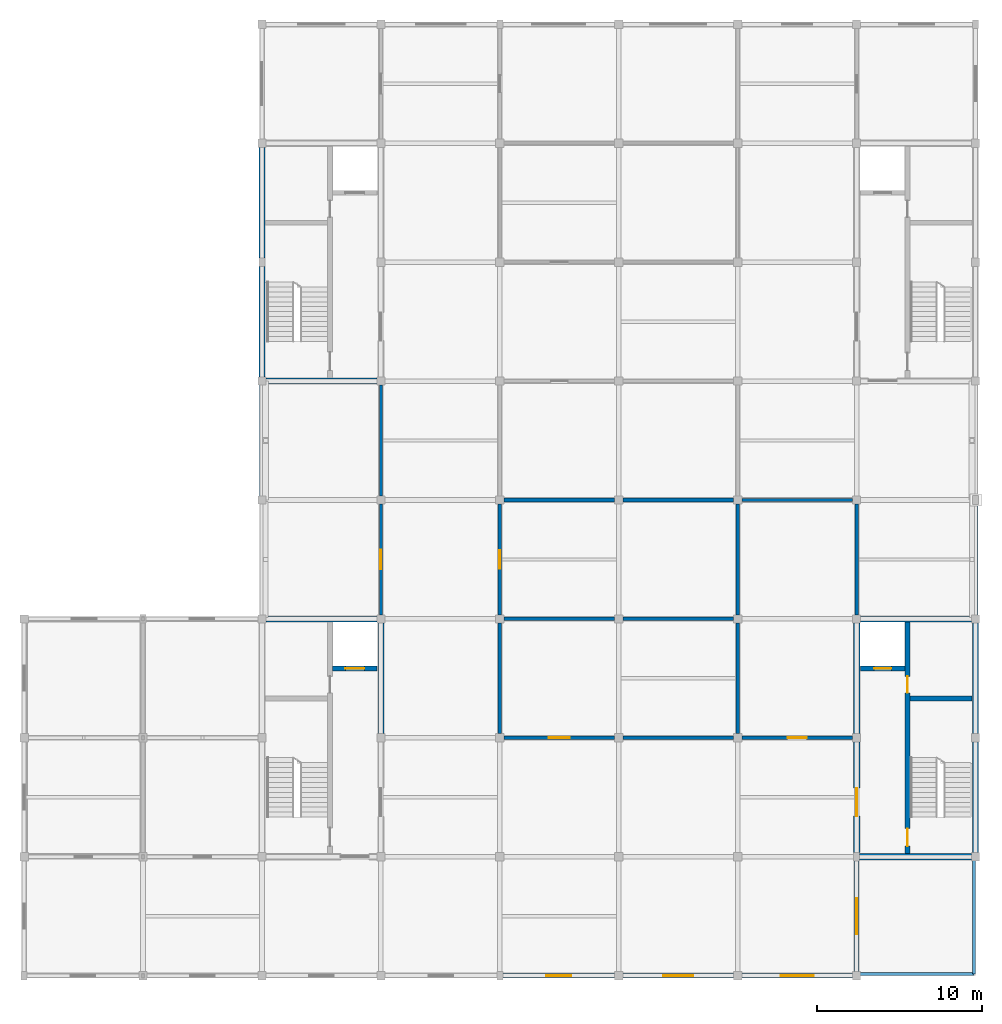
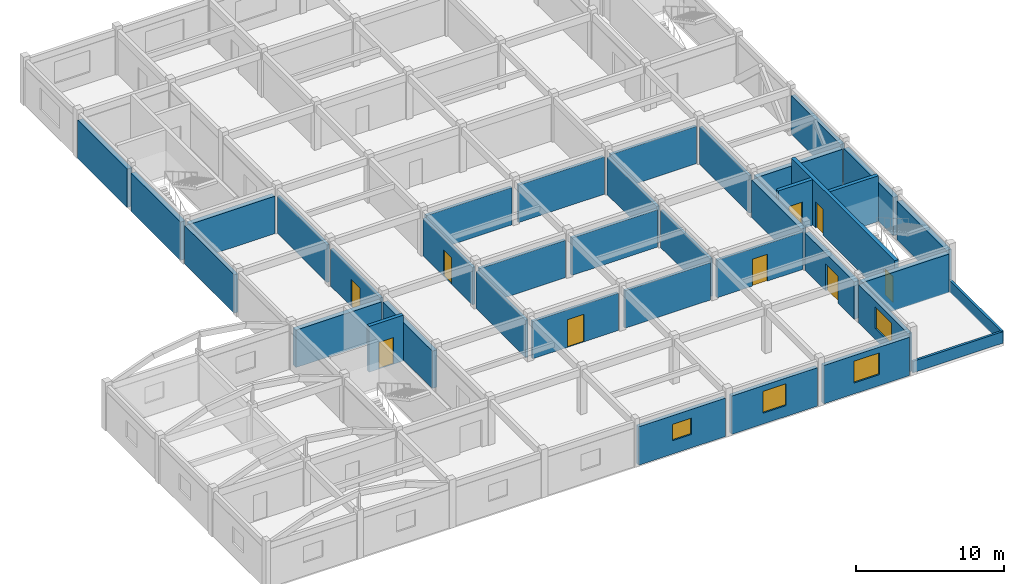
# One storey, part 7 of 10: 38 walls, 9 doors, 4 windows, 13 openings.
"""IFC4 building model written with IfcOpenShell, lengths in metres."""

from ifc_helpers import new_model, si_unit, direction, frame, frame_2d, origin, place, context, subcontext, project, spatial, rectangle, extrude, material, layer, layer_set, type_object, element, fill, save


model = new_model("IFC4")

# Units and contexts
model_context = context("Model", 3, precision=1e-05, world=origin(), true_north=direction((0.0, 1.0)))
body_context = subcontext(model_context, "Body", "Model", "MODEL_VIEW")
ifc_project = project(units=[si_unit("LENGTHUNIT", "METRE"), si_unit("AREAUNIT", "SQUARE_METRE"), si_unit("VOLUMEUNIT", "CUBIC_METRE"), si_unit("PLANEANGLEUNIT", "RADIAN"), si_unit("MASSUNIT", "GRAM", prefix="KILO")], contexts=[model_context])

# Site, building, storey
site_placement = place(None, origin())
site = spatial("IfcSite", under=ifc_project, at=site_placement, CompositionType="ELEMENT")
building_placement = place(site_placement, origin())
building = spatial("IfcBuilding", under=site, at=building_placement, Name="Cendaluz Park School", CompositionType="ELEMENT")
storey_placement = place(building_placement, frame((0.0, 0.0, 51.0)))
storey = spatial("IfcBuildingStorey", under=building, at=storey_placement, Name="L12", CompositionType="ELEMENT", Elevation=51.0)

# Wall, opening, door
ifc_material_1 = material(Name="Gypsum Plasterboard on Cold-Formed Stud", Category="gypsum")
ifc_layer_1 = layer(ifc_material_1, 0.199951171875)
ifc_layer_set_1 = layer_set([ifc_layer_1], Name="Gypsum Plasterboard on Cold-Formed Stud")
wall_type_1 = type_object("IfcWallType", Name="W-AC20", PredefinedType="PARTITIONING", material=ifc_layer_set_1)
wall_1_placement = place(storey_placement, frame((93.85009765625, 21.60009765625, 0.0), z_axis=(0.0, 0.0, 1.0), x_axis=(1.0, 0.0, 0.0)))
wall_1 = element("IfcWall", 1, at=wall_1_placement, inside=storey, type_object=wall_type_1, Name="WL-FM-BL3", PredefinedType="PARTITIONING", context=body_context, shape_type="SweptSolid", body=[
    extrude(rectangle(XDim=6.699951171875, YDim=0.199951171875, at=frame_2d((3.35009765625, 0.0))), origin(), (0.0, 0.0, 1.0), 3.090087890625),
])
opening_1_placement = place(wall_1_placement, frame((2.77001953125, 0.0, 0.0)))
opening_1 = element("IfcOpeningElement", 2, at=opening_1_placement, cuts=wall_1, Name="Opening DCL-07", PredefinedType="OPENING", context=body_context, shape_type="SweptSolid", body=[
    extrude(rectangle(XDim=1.159912109375, YDim=2.219970703125, at=frame_2d((0.580078125, 1.10986328125))), frame((0.0, 0.112060546875, 0.0), z_axis=(0.0, -1.0, 0.0), x_axis=(1.0, 0.0, 0.0)), (0.0, 0.0, 1.0), 0.223876953125),
])
ifc_material_2 = material(Name="Solid Core Hardwood", Category="wood")
door_type_1 = type_object("IfcDoorType", Name="DCL-07", OperationType="NOTDEFINED", PredefinedType="DOOR", material=ifc_material_2)
door_1_placement = place(opening_1_placement, origin())
door_1 = element("IfcDoor", 3, at=door_1_placement, inside=storey, type_object=door_type_1, Name="D-L12-022", OperationType="SINGLE_SWING_LEFT", OverallHeight=2.219970703125, OverallWidth=1.159912109375, PredefinedType="DOOR", context=body_context, shape_type="SweptSolid", body=[
    extrude(rectangle(XDim=1.159912109375, YDim=2.219970703125, at=frame_2d((0.580078125, 1.10986328125))), frame((0.0, 0.02490234375, 0.0), z_axis=(0.0, -1.0, 0.0), x_axis=(1.0, 0.0, 0.0)), (0.0, 0.0, 1.0), 0.050048828125),
])
fill(opening_1, door_1)

# Walls
for number, where, z_axis, x_axis, name in (
    (4, (93.60009765625, 21.85009765625, 0.0), (0.0, 0.0, 1.0), (0.0, 1.0, 0.0), "WL-FM-BL4"),
    (5, (93.85009765625, 36.0, 0.0), (0.0, 0.0, 1.0), (1.0, 0.0, 0.0), "WL-FM-BL5"),
    (6, (100.800048828125, 29.050048828125, 0.0), (0.0, 0.0, 1.0), (0.0, 1.0, 0.0), "WL-FM-BL6"),
):
    element("IfcWall", number, at=place(storey_placement, frame(where, z_axis=z_axis, x_axis=x_axis)), inside=storey, type_object=wall_type_1, Name=name, PredefinedType="PARTITIONING", context=body_context, shape_type="SweptSolid", body=[
        extrude(rectangle(XDim=6.699951171875, YDim=0.199951171875, at=frame_2d((3.35009765625, 0.0))), origin(), (0.0, 0.0, 1.0), 3.090087890625),
    ])

# Wall, opening, door
wall_2_placement = place(storey_placement, frame((72.0, 29.050048828125, 0.0), z_axis=(0.0, 0.0, 1.0), x_axis=(0.0, 1.0, 0.0)))
wall_2 = element("IfcWall", 7, at=wall_2_placement, inside=storey, type_object=wall_type_1, Name="WL-FM-BL7", PredefinedType="PARTITIONING", context=body_context, shape_type="SweptSolid", body=[
    extrude(rectangle(XDim=6.699951171875, YDim=0.199951171875, at=frame_2d((3.35009765625, 0.0))), origin(), (0.0, 0.0, 1.0), 3.090087890625),
])
opening_2_placement = place(wall_2_placement, frame((2.75, 0.0, 0.0)))
opening_2 = element("IfcOpeningElement", 8, at=opening_2_placement, cuts=wall_2, Name="Opening DCL-08", PredefinedType="OPENING", context=body_context, shape_type="SweptSolid", body=[
    extrude(rectangle(XDim=1.199951171875, YDim=2.239990234375, at=frame_2d((0.60009765625, 1.1201171875))), frame((0.0, 0.112060546875, 0.0), z_axis=(0.0, -1.0, 0.0), x_axis=(1.0, 0.0, 0.0)), (0.0, 0.0, 1.0), 0.223876953125),
])
door_type_2 = type_object("IfcDoorType", Name="DCL-08", OperationType="NOTDEFINED", PredefinedType="DOOR", material=ifc_material_2)
door_2_placement = place(opening_2_placement, origin())
door_2 = element("IfcDoor", 9, at=door_2_placement, inside=storey, type_object=door_type_2, Name="D-L12-023", OperationType="SINGLE_SWING_RIGHT", OverallHeight=2.239990234375, OverallWidth=1.199951171875, PredefinedType="DOOR", context=body_context, shape_type="SweptSolid", body=[
    extrude(rectangle(XDim=1.199951171875, YDim=2.239990234375, at=frame_2d((0.60009765625, 1.1201171875))), frame((0.0, 0.02490234375, 0.0), z_axis=(0.0, -1.0, 0.0), x_axis=(1.0, 0.0, 0.0)), (0.0, 0.0, 1.0), 0.050048828125),
])
fill(opening_2, door_2)

# Wall
wall_3_placement = place(storey_placement, frame((72.0, 36.25, 0.0), z_axis=(0.0, 0.0, 1.0), x_axis=(0.0, 1.0, 0.0)))
element("IfcWall", 10, at=wall_3_placement, inside=storey, type_object=wall_type_1, Name="WL-FM-BL8", PredefinedType="PARTITIONING", context=body_context, shape_type="SweptSolid", body=[
    extrude(rectangle(XDim=6.699951171875, YDim=0.199951171875, at=frame_2d((3.35009765625, 0.0))), origin(), (0.0, 0.0, 1.0), 3.090087890625),
])

# Wall, opening, door
wall_4_placement = place(storey_placement, frame((79.449951171875, 21.60009765625, 0.0), z_axis=(0.0, 0.0, 1.0), x_axis=(1.0, 0.0, 0.0)))
wall_4 = element("IfcWall", 11, at=wall_4_placement, inside=storey, type_object=wall_type_1, Name="WL-FM-BM0", PredefinedType="PARTITIONING", context=body_context, shape_type="SweptSolid", body=[
    extrude(rectangle(XDim=6.699951171875, YDim=0.199951171875, at=frame_2d((3.35009765625, 0.0))), origin(), (0.0, 0.0, 1.0), 3.090087890625),
])
opening_3_placement = place(wall_4_placement, frame((2.7099609375, 0.0, 0.0)))
opening_3 = element("IfcOpeningElement", 12, at=opening_3_placement, cuts=wall_4, Name="Opening DCL-10", PredefinedType="OPENING", context=body_context, shape_type="SweptSolid", body=[
    extrude(rectangle(XDim=1.280029296875, YDim=2.280029296875, at=frame_2d((0.64013671875, 1.14013671875))), frame((0.0, 0.112060546875, 0.0), z_axis=(0.0, -1.0, 0.0), x_axis=(1.0, 0.0, 0.0)), (0.0, 0.0, 1.0), 0.223876953125),
])
door_type_3 = type_object("IfcDoorType", Name="DCL-10", OperationType="NOTDEFINED", PredefinedType="DOOR", material=ifc_material_2)
door_3_placement = place(opening_3_placement, origin())
door_3 = element("IfcDoor", 13, at=door_3_placement, inside=storey, type_object=door_type_3, Name="D-L12-025", OperationType="SINGLE_SWING_RIGHT", OverallHeight=2.280029296875, OverallWidth=1.280029296875, PredefinedType="DOOR", context=body_context, shape_type="SweptSolid", body=[
    extrude(rectangle(XDim=1.280029296875, YDim=2.280029296875, at=frame_2d((0.64013671875, 1.14013671875))), frame((0.0, 0.02490234375, 0.0), z_axis=(0.0, -1.0, 0.0), x_axis=(1.0, 0.0, 0.0)), (0.0, 0.0, 1.0), 0.050048828125),
])
fill(opening_3, door_3)

# Walls
wall_5_placement = place(storey_placement, frame((79.199951171875, 21.85009765625, 0.0), z_axis=(0.0, 0.0, 1.0), x_axis=(0.0, 1.0, 0.0)))
element("IfcWall", 14, at=wall_5_placement, inside=storey, type_object=wall_type_1, Name="WL-FM-BM1", PredefinedType="PARTITIONING", context=body_context, shape_type="SweptSolid", body=[
    extrude(rectangle(XDim=6.699951171875, YDim=0.199951171875, at=frame_2d((3.35009765625, 0.0))), origin(), (0.0, 0.0, 1.0), 3.090087890625),
])
wall_6_placement = place(storey_placement, frame((86.64990234375, 21.60009765625, 0.0), z_axis=(0.0, 0.0, 1.0), x_axis=(1.0, 0.0, 0.0)))
element("IfcWall", 15, at=wall_6_placement, inside=storey, type_object=wall_type_1, Name="WL-FM-BM2", PredefinedType="PARTITIONING", context=body_context, shape_type="SweptSolid", body=[
    extrude(rectangle(XDim=6.7001953125, YDim=0.199951171875, at=frame_2d((3.35009765625, 0.0))), origin(), (0.0, 0.0, 1.0), 3.090087890625),
])
ifc_material_3 = material(Name="Cross-laminated timber CLT C24", Category="wood")
ifc_layer_2 = layer(ifc_material_3, 0.300048828125)
ifc_layer_set_2 = layer_set([ifc_layer_2], Name="Cross-laminated timber CLT C24")
wall_type_2 = type_object("IfcWallType", Name="W-EX30", PredefinedType="SOLIDWALL", material=ifc_layer_set_2)
wall_7_placement = place(storey_placement, frame((64.800048828125, 36.25, 0.0), z_axis=(0.0, 0.0, 1.0), x_axis=(0.0, 1.0, 0.0)))
element("IfcWall", 16, at=wall_7_placement, inside=storey, type_object=wall_type_2, Name="WL-FM-AA9", PredefinedType="SOLIDWALL", context=body_context, shape_type="SweptSolid", body=[
    extrude(rectangle(XDim=6.699951171875, YDim=0.300048828125, at=frame_2d((3.35009765625, 0.0))), origin(), (0.0, 0.0, 1.0), 3.169921875),
])

# Wall, opening, window
wall_8_placement = place(storey_placement, frame((79.3798828125, 7.199951171875, 0.0), z_axis=(0.0, 0.0, 1.0), x_axis=(1.0, 0.0, 0.0)))
wall_8 = element("IfcWall", 17, at=wall_8_placement, inside=storey, type_object=wall_type_2, Name="WL-FM-AB4", PredefinedType="SOLIDWALL", context=body_context, shape_type="SweptSolid", body=[
    extrude(rectangle(XDim=6.77001953125, YDim=0.300048828125, at=frame_2d((3.385009765625, 0.0))), origin(), (0.0, 0.0, 1.0), 3.169921875),
])
opening_4_placement = place(wall_8_placement, frame((2.635009765625, 0.0, 1.10009765625)))
opening_4 = element("IfcOpeningElement", 18, at=opening_4_placement, cuts=wall_8, Name="Opening WN-20", PredefinedType="OPENING", context=body_context, shape_type="SweptSolid", body=[
    extrude(rectangle(XDim=1.5, YDim=1.35009765625, at=frame_2d((0.75, 0.675048828125))), frame((0.0, 0.162109375, 0.0), z_axis=(0.0, -1.0, 0.0), x_axis=(1.0, 0.0, 0.0)), (0.0, 0.0, 1.0), 0.323974609375),
])
ifc_material_4 = material(Name="Tempered Low-E Double Glazing", Category="glass")
window_type_1 = type_object("IfcWindowType", Name="WN-20", PartitioningType="SINGLE_PANEL", PredefinedType="WINDOW", material=ifc_material_4)
window_1_placement = place(opening_4_placement, origin())
window_1 = element("IfcWindow", 19, at=window_1_placement, inside=storey, type_object=window_type_1, Name="WN-L12-013", OverallHeight=1.35009765625, OverallWidth=1.5, PartitioningType="SINGLE_PANEL", PredefinedType="WINDOW", context=body_context, shape_type="SweptSolid", body=[
    extrude(rectangle(XDim=1.5, YDim=1.35009765625, at=frame_2d((0.75, 0.675048828125))), frame((0.0, 0.030029296875, 0.0), z_axis=(0.0, -1.0, 0.0), x_axis=(1.0, 0.0, 0.0)), (0.0, 0.0, 1.0), 0.06005859375),
])
fill(opening_4, window_1)

wall_9_placement = place(storey_placement, frame((86.64990234375, 7.199951171875, 0.0), z_axis=(0.0, 0.0, 1.0), x_axis=(1.0, 0.0, 0.0)))
wall_9 = element("IfcWall", 20, at=wall_9_placement, inside=storey, type_object=wall_type_2, Name="WL-FM-AB6", PredefinedType="SOLIDWALL", context=body_context, shape_type="SweptSolid", body=[
    extrude(rectangle(XDim=6.7001953125, YDim=0.300048828125, at=frame_2d((3.35009765625, 0.0))), origin(), (0.0, 0.0, 1.0), 3.169921875),
])
opening_5_placement = place(wall_9_placement, frame((2.449951171875, 0.0, 0.89990234375)))
opening_5 = element("IfcOpeningElement", 21, at=opening_5_placement, cuts=wall_9, Name="Opening WN-01", PredefinedType="OPENING", context=body_context, shape_type="SweptSolid", body=[
    extrude(rectangle(XDim=1.800048828125, YDim=1.800048828125, at=frame_2d((0.89990234375, 0.89990234375))), frame((0.0, 0.162109375, 0.0), z_axis=(0.0, -1.0, 0.0), x_axis=(1.0, 0.0, 0.0)), (0.0, 0.0, 1.0), 0.323974609375),
])
window_type_2 = type_object("IfcWindowType", Name="WN-01", PartitioningType="SINGLE_PANEL", PredefinedType="WINDOW", material=ifc_material_4)
window_2_placement = place(opening_5_placement, origin())
window_2 = element("IfcWindow", 22, at=window_2_placement, inside=storey, type_object=window_type_2, Name="WN-L12-015", OverallHeight=1.800048828125, OverallWidth=1.800048828125, PartitioningType="SINGLE_PANEL", PredefinedType="WINDOW", context=body_context, shape_type="SweptSolid", body=[
    extrude(rectangle(XDim=1.800048828125, YDim=1.800048828125, at=frame_2d((0.89990234375, 0.89990234375))), frame((0.0, 0.030029296875, 0.0), z_axis=(0.0, -1.0, 0.0), x_axis=(1.0, 0.0, 0.0)), (0.0, 0.0, 1.0), 0.06005859375),
])
fill(opening_5, window_2)

wall_10_placement = place(storey_placement, frame((93.85009765625, 7.199951171875, 0.0), z_axis=(0.0, 0.0, 1.0), x_axis=(1.0, 0.0, 0.0)))
wall_10 = element("IfcWall", 23, at=wall_10_placement, inside=storey, type_object=wall_type_2, Name="WL-FM-AB8", PredefinedType="SOLIDWALL", context=body_context, shape_type="SweptSolid", body=[
    extrude(rectangle(XDim=6.699951171875, YDim=0.300048828125, at=frame_2d((3.35009765625, 0.0))), origin(), (0.0, 0.0, 1.0), 3.169921875),
])
opening_6_placement = place(wall_10_placement, frame((2.35009765625, 0.0, 0.89990234375)))
opening_6 = element("IfcOpeningElement", 24, at=opening_6_placement, cuts=wall_10, Name="Opening WN-02", PredefinedType="OPENING", context=body_context, shape_type="SweptSolid", body=[
    extrude(rectangle(XDim=2.0, YDim=1.800048828125, at=frame_2d((1.0, 0.89990234375))), frame((0.0, 0.162109375, 0.0), z_axis=(0.0, -1.0, 0.0), x_axis=(1.0, 0.0, 0.0)), (0.0, 0.0, 1.0), 0.323974609375),
])
window_type_3 = type_object("IfcWindowType", Name="WN-02", PartitioningType="SINGLE_PANEL", PredefinedType="WINDOW", material=ifc_material_4)
window_3_placement = place(opening_6_placement, origin())
window_3 = element("IfcWindow", 25, at=window_3_placement, inside=storey, type_object=window_type_3, Name="WN-L12-017", OverallHeight=1.800048828125, OverallWidth=2.0, PartitioningType="SINGLE_PANEL", PredefinedType="WINDOW", context=body_context, shape_type="SweptSolid", body=[
    extrude(rectangle(XDim=2.0, YDim=1.800048828125, at=frame_2d((1.0, 0.89990234375))), frame((0.0, 0.030029296875, 0.0), z_axis=(0.0, -1.0, 0.0), x_axis=(1.0, 0.0, 0.0)), (0.0, 0.0, 1.0), 0.06005859375),
])
fill(opening_6, window_3)

wall_11_placement = place(storey_placement, frame((100.800048828125, 7.449951171875, 0.0), z_axis=(0.0, 0.0, 1.0), x_axis=(0.0, 1.0, 0.0)))
wall_11 = element("IfcWall", 26, at=wall_11_placement, inside=storey, type_object=wall_type_2, Name="WL-FM-AB9", PredefinedType="SOLIDWALL", context=body_context, shape_type="SweptSolid", body=[
    extrude(rectangle(XDim=6.68994140625, YDim=0.300048828125, at=frame_2d((3.344970703125, 0.0))), origin(), (0.0, 0.0, 1.0), 3.169921875),
])
opening_7_placement = place(wall_11_placement, frame((2.2451171875, 0.0, 0.89990234375)))
opening_7 = element("IfcOpeningElement", 27, at=opening_7_placement, cuts=wall_11, Name="Opening WN-03", PredefinedType="OPENING", context=body_context, shape_type="SweptSolid", body=[
    extrude(rectangle(XDim=2.199951171875, YDim=1.800048828125, at=frame_2d((1.10009765625, 0.89990234375))), frame((0.0, 0.162109375, 0.0), z_axis=(0.0, -1.0, 0.0), x_axis=(1.0, 0.0, 0.0)), (0.0, 0.0, 1.0), 0.323974609375),
])
window_type_4 = type_object("IfcWindowType", Name="WN-03", PartitioningType="SINGLE_PANEL", PredefinedType="WINDOW", material=ifc_material_4)
window_4_placement = place(opening_7_placement, origin())
window_4 = element("IfcWindow", 28, at=window_4_placement, inside=storey, type_object=window_type_4, Name="WN-L12-018", OverallHeight=1.800048828125, OverallWidth=2.199951171875, PartitioningType="SINGLE_PANEL", PredefinedType="WINDOW", context=body_context, shape_type="SweptSolid", body=[
    extrude(rectangle(XDim=2.199951171875, YDim=1.800048828125, at=frame_2d((1.10009765625, 0.89990234375))), frame((0.0, 0.030029296875, 0.0), z_axis=(0.0, -1.0, 0.0), x_axis=(1.0, 0.0, 0.0)), (0.0, 0.0, 1.0), 0.06005859375),
])
fill(opening_7, window_4)

# Wall
wall_12_placement = place(storey_placement, frame((108.0, 29.050048828125, 0.0), z_axis=(0.0, 0.0, 1.0), x_axis=(0.0, 1.0, 0.0)))
element("IfcWall", 29, at=wall_12_placement, inside=storey, type_object=wall_type_2, Name="WL-FM-AC1", PredefinedType="SOLIDWALL", context=body_context, shape_type="SweptSolid", body=[
    extrude(rectangle(XDim=6.68994140625, YDim=0.300048828125, at=frame_2d((3.344970703125, 0.0))), origin(), (0.0, 0.0, 1.0), 3.169921875),
])

# Wall, opening, door
ifc_material_5 = material(Name="Concrete C40/50", Category="concrete")
ifc_layer_3 = layer(ifc_material_5, 0.280029296875)
ifc_layer_set_3 = layer_set([ifc_layer_3], Name="Concrete C40/50")
wall_type_3 = type_object("IfcWallType", Name="W-FW28", PredefinedType="SHEAR", material=ifc_layer_set_3)
wall_13_placement = place(storey_placement, frame((69.080078125, 25.800048828125, 0.0), z_axis=(0.0, 0.0, 1.0), x_axis=(1.0, 0.0, 0.0)))
wall_13 = element("IfcWall", 30, at=wall_13_placement, inside=storey, type_object=wall_type_3, Name="WL-FM-BH5", PredefinedType="SHEAR", context=body_context, shape_type="SweptSolid", body=[
    extrude(rectangle(XDim=2.679931640625, YDim=0.280029296875, at=frame_2d((1.33984375, 0.0))), origin(), (0.0, 0.0, 1.0), 3.780029296875),
])
opening_8_placement = place(wall_13_placement, frame((0.764892578125, 0.0, 0.0)))
opening_8 = element("IfcOpeningElement", 31, at=opening_8_placement, cuts=wall_13, Name="Opening LD-01", PredefinedType="OPENING", context=body_context, shape_type="SweptSolid", body=[
    extrude(rectangle(XDim=1.14990234375, YDim=2.199951171875, at=frame_2d((0.574951171875, 1.10009765625))), frame((0.0, 0.152099609375, 0.0), z_axis=(0.0, -1.0, 0.0), x_axis=(1.0, 0.0, 0.0)), (0.0, 0.0, 1.0), 0.303955078125),
])
ifc_material_6 = material(Name="Stainless Steel 316L", Category="steel")
door_type_4 = type_object("IfcDoorType", Name="LD-01", OperationType="DOUBLE_DOOR_SLIDING", PredefinedType="DOOR", material=ifc_material_6)
door_4_placement = place(opening_8_placement, frame((1.14990234375, 0.0, 0.0), z_axis=(0.0, 0.0, 1.0), x_axis=(-1.0, 0.0, 0.0)))
door_4 = element("IfcDoor", 32, at=door_4_placement, inside=storey, type_object=door_type_4, Name="D-L12-005", OperationType="DOUBLE_DOOR_SLIDING", OverallHeight=2.199951171875, OverallWidth=1.14990234375, PredefinedType="DOOR", context=body_context, shape_type="SweptSolid", body=[
    extrude(rectangle(XDim=1.14990234375, YDim=2.199951171875, at=frame_2d((0.574951171875, 1.10009765625))), frame((0.0, 0.02490234375, 0.0), z_axis=(0.0, -1.0, 0.0), x_axis=(1.0, 0.0, 0.0)), (0.0, 0.0, 1.0), 0.050048828125),
])
fill(opening_8, door_4)

# Wall, openings, doors
wall_14_placement = place(storey_placement, frame((103.8798828125, 14.60009765625, 0.0), z_axis=(0.0, 0.0, 1.0), x_axis=(0.0, 1.0, 0.0)))
wall_14 = element("IfcWall", 33, at=wall_14_placement, inside=storey, type_object=wall_type_3, Name="WL-FM-BI2", PredefinedType="SHEAR", context=body_context, shape_type="SweptSolid", body=[
    extrude(rectangle(XDim=14.0, YDim=0.280029296875, at=frame_2d((7.0, 0.0))), origin(), (0.0, 0.0, 1.0), 3.780029296875),
])
opening_9_placement = place(wall_14_placement, frame((0.449951171875, 0.0, 0.0)))
opening_9 = element("IfcOpeningElement", 34, at=opening_9_placement, cuts=wall_14, Name="Opening DST-02", PredefinedType="OPENING", context=body_context, shape_type="SweptSolid", body=[
    extrude(rectangle(XDim=1.050048828125, YDim=2.14990234375, at=frame_2d((0.52490234375, 1.074951171875))), frame((0.0, 0.152099609375, 0.0), z_axis=(0.0, -1.0, 0.0), x_axis=(1.0, 0.0, 0.0)), (0.0, 0.0, 1.0), 0.303955078125),
])
opening_10_placement = place(wall_14_placement, frame((9.719970703125, 0.0, 0.0)))
opening_10 = element("IfcOpeningElement", 35, at=opening_10_placement, cuts=wall_14, Name="Opening DFC-01", PredefinedType="OPENING", context=body_context, shape_type="SweptSolid", body=[
    extrude(rectangle(XDim=1.0, YDim=2.14990234375, at=frame_2d((0.5, 1.074951171875))), frame((0.0, 0.152099609375, 0.0), z_axis=(0.0, -1.0, 0.0), x_axis=(1.0, 0.0, 0.0)), (0.0, 0.0, 1.0), 0.303955078125),
])
door_type_5 = type_object("IfcDoorType", Name="DFC-01", OperationType="NOTDEFINED", PredefinedType="DOOR", material=ifc_material_2)
door_5_placement = place(opening_10_placement, frame((1.0, 0.0, 0.0), z_axis=(0.0, 0.0, 1.0), x_axis=(-1.0, 0.0, 0.0)))
door_5 = element("IfcDoor", 36, at=door_5_placement, inside=storey, type_object=door_type_5, Name="D-L12-008", OperationType="SINGLE_SWING_RIGHT", OverallHeight=2.14990234375, OverallWidth=1.0, PredefinedType="DOOR", context=body_context, shape_type="SweptSolid", body=[
    extrude(rectangle(XDim=1.0, YDim=2.14990234375, at=frame_2d((0.5, 1.074951171875))), frame((0.0, 0.02490234375, 0.0), z_axis=(0.0, -1.0, 0.0), x_axis=(1.0, 0.0, 0.0)), (0.0, 0.0, 1.0), 0.050048828125),
])
fill(opening_10, door_5)
door_type_6 = type_object("IfcDoorType", Name="DST-02", OperationType="NOTDEFINED", PredefinedType="DOOR", material=ifc_material_2)
door_6_placement = place(opening_9_placement, frame((1.050048828125, 0.0, 0.0), z_axis=(0.0, 0.0, 1.0), x_axis=(-1.0, 0.0, 0.0)))
door_6 = element("IfcDoor", 37, at=door_6_placement, inside=storey, type_object=door_type_6, Name="D-L12-007", OperationType="SINGLE_SWING_RIGHT", OverallHeight=2.14990234375, OverallWidth=1.050048828125, PredefinedType="DOOR", context=body_context, shape_type="SweptSolid", body=[
    extrude(rectangle(XDim=1.050048828125, YDim=2.14990234375, at=frame_2d((0.52490234375, 1.074951171875))), frame((0.0, 0.02490234375, 0.0), z_axis=(0.0, -1.0, 0.0), x_axis=(1.0, 0.0, 0.0)), (0.0, 0.0, 1.0), 0.050048828125),
])
fill(opening_9, door_6)

# Wall
wall_15_placement = place(storey_placement, frame((104.02001953125, 23.97998046875, 0.0), z_axis=(0.0, 0.0, 1.0), x_axis=(1.0, 0.0, 0.0)))
element("IfcWall", 38, at=wall_15_placement, inside=storey, type_object=wall_type_3, Name="WL-FM-BI3", PredefinedType="SHEAR", context=body_context, shape_type="SweptSolid", body=[
    extrude(rectangle(XDim=3.780029296875, YDim=0.280029296875, at=frame_2d((1.89013671875, 0.0))), origin(), (0.0, 0.0, 1.0), 3.780029296875),
])

# Wall, opening, door
wall_16_placement = place(storey_placement, frame((101.0400390625, 25.800048828125, 0.0), z_axis=(0.0, 0.0, 1.0), x_axis=(1.0, 0.0, 0.0)))
wall_16 = element("IfcWall", 39, at=wall_16_placement, inside=storey, type_object=wall_type_3, Name="WL-FM-BI4", PredefinedType="SHEAR", context=body_context, shape_type="SweptSolid", body=[
    extrude(rectangle(XDim=2.679931640625, YDim=0.280029296875, at=frame_2d((1.33984375, 0.0))), origin(), (0.0, 0.0, 1.0), 3.780029296875),
])
opening_11_placement = place(wall_16_placement, frame((0.81494140625, 0.0, 0.0)))
opening_11 = element("IfcOpeningElement", 40, at=opening_11_placement, cuts=wall_16, Name="Opening LD-02", PredefinedType="OPENING", context=body_context, shape_type="SweptSolid", body=[
    extrude(rectangle(XDim=1.050048828125, YDim=2.199951171875, at=frame_2d((0.52490234375, 1.10009765625))), frame((0.0, 0.152099609375, 0.0), z_axis=(0.0, -1.0, 0.0), x_axis=(1.0, 0.0, 0.0)), (0.0, 0.0, 1.0), 0.303955078125),
])
door_type_7 = type_object("IfcDoorType", Name="LD-02", OperationType="DOUBLE_DOOR_SLIDING", PredefinedType="DOOR", material=ifc_material_6)
door_7_placement = place(opening_11_placement, frame((1.050048828125, 0.0, 0.0), z_axis=(0.0, 0.0, 1.0), x_axis=(-1.0, 0.0, 0.0)))
door_7 = element("IfcDoor", 41, at=door_7_placement, inside=storey, type_object=door_type_7, Name="D-L12-009", OperationType="DOUBLE_DOOR_SLIDING", OverallHeight=2.199951171875, OverallWidth=1.050048828125, PredefinedType="DOOR", context=body_context, shape_type="SweptSolid", body=[
    extrude(rectangle(XDim=1.050048828125, YDim=2.199951171875, at=frame_2d((0.52490234375, 1.10009765625))), frame((0.0, 0.02490234375, 0.0), z_axis=(0.0, -1.0, 0.0), x_axis=(1.0, 0.0, 0.0)), (0.0, 0.0, 1.0), 0.050048828125),
])
fill(opening_11, door_7)

# Walls
ifc_layer_4 = layer(ifc_material_1, 0.219970703125)
ifc_layer_set_4 = layer_set([ifc_layer_4], Name="Gypsum Plasterboard on Cold-Formed Stud")
wall_type_4 = type_object("IfcWallType", Name="W-LB22", PredefinedType="PARTITIONING", material=ifc_layer_set_4)
for number, where, z_axis, x_axis, name in (
    (42, (79.449951171875, 28.800048828125, 0.0), (0.0, 0.0, 1.0), (1.0, 0.0, 0.0), "WL-FM-BK7"),
    (43, (79.449951171875, 36.0, 0.0), (0.0, 0.0, 1.0), (1.0, 0.0, 0.0), "WL-FM-BK8"),
):
    element("IfcWall", number, at=place(storey_placement, frame(where, z_axis=z_axis, x_axis=x_axis)), inside=storey, type_object=wall_type_4, Name=name, PredefinedType="PARTITIONING", context=body_context, shape_type="SweptSolid", body=[
        extrude(rectangle(XDim=6.699951171875, YDim=0.219970703125, at=frame_2d((3.35009765625, 0.0))), origin(), (0.0, 0.0, 1.0), 3.090087890625),
    ])

# Wall, opening, door
wall_17_placement = place(storey_placement, frame((79.199951171875, 29.050048828125, 0.0), z_axis=(0.0, 0.0, 1.0), x_axis=(0.0, 1.0, 0.0)))
wall_17 = element("IfcWall", 44, at=wall_17_placement, inside=storey, type_object=wall_type_4, Name="WL-FM-BK9", PredefinedType="PARTITIONING", context=body_context, shape_type="SweptSolid", body=[
    extrude(rectangle(XDim=6.699951171875, YDim=0.219970703125, at=frame_2d((3.35009765625, 0.0))), origin(), (0.0, 0.0, 1.0), 3.090087890625),
])
opening_12_placement = place(wall_17_placement, frame((2.7900390625, 0.0, 0.0)))
opening_12 = element("IfcOpeningElement", 45, at=opening_12_placement, cuts=wall_17, Name="Opening DCL-06", PredefinedType="OPENING", context=body_context, shape_type="SweptSolid", body=[
    extrude(rectangle(XDim=1.1201171875, YDim=2.199951171875, at=frame_2d((0.56005859375, 1.10009765625))), frame((0.0, 0.1220703125, 0.0), z_axis=(0.0, -1.0, 0.0), x_axis=(1.0, 0.0, 0.0)), (0.0, 0.0, 1.0), 0.243896484375),
])
door_type_8 = type_object("IfcDoorType", Name="DCL-06", OperationType="NOTDEFINED", PredefinedType="DOOR", material=ifc_material_2)
door_8_placement = place(opening_12_placement, origin())
door_8 = element("IfcDoor", 46, at=door_8_placement, inside=storey, type_object=door_type_8, Name="D-L12-021", OperationType="SINGLE_SWING_RIGHT", OverallHeight=2.199951171875, OverallWidth=1.1201171875, PredefinedType="DOOR", context=body_context, shape_type="SweptSolid", body=[
    extrude(rectangle(XDim=1.1201171875, YDim=2.199951171875, at=frame_2d((0.56005859375, 1.10009765625))), frame((0.0, 0.02490234375, 0.0), z_axis=(0.0, -1.0, 0.0), x_axis=(1.0, 0.0, 0.0)), (0.0, 0.0, 1.0), 0.050048828125),
])
fill(opening_12, door_8)

# Walls
for number, where, z_axis, x_axis, name in (
    (47, (86.64990234375, 28.800048828125, 0.0), (0.0, 0.0, 1.0), (1.0, 0.0, 0.0), "WL-FM-BL0"),
    (48, (86.64990234375, 36.0, 0.0), (0.0, 0.0, 1.0), (1.0, 0.0, 0.0), "WL-FM-BL1"),
):
    element("IfcWall", number, at=place(storey_placement, frame(where, z_axis=z_axis, x_axis=x_axis)), inside=storey, type_object=wall_type_4, Name=name, PredefinedType="PARTITIONING", context=body_context, shape_type="SweptSolid", body=[
        extrude(rectangle(XDim=6.7001953125, YDim=0.219970703125, at=frame_2d((3.35009765625, 0.0))), origin(), (0.0, 0.0, 1.0), 3.090087890625),
    ])
wall_18_placement = place(storey_placement, frame((93.60009765625, 29.050048828125, 0.0), z_axis=(0.0, 0.0, 1.0), x_axis=(0.0, 1.0, 0.0)))
element("IfcWall", 49, at=wall_18_placement, inside=storey, type_object=wall_type_4, Name="WL-FM-BL2", PredefinedType="PARTITIONING", context=body_context, shape_type="SweptSolid", body=[
    extrude(rectangle(XDim=6.699951171875, YDim=0.219970703125, at=frame_2d((3.35009765625, 0.0))), origin(), (0.0, 0.0, 1.0), 3.090087890625),
])
ifc_material_7 = material(Name="Concrete C40/50 precast", Category="concrete")
ifc_layer_5 = layer(ifc_material_7, 0.179931640625)
ifc_layer_set_5 = layer_set([ifc_layer_5], Name="Concrete C40/50 precast")
wall_type_5 = type_object("IfcWallType", Name="W-PR18", PredefinedType="PARAPET", material=ifc_layer_set_5)
for number, where, z_axis, x_axis, name in (
    (50, (100.889892578125, 7.2900390625, 0.0), (0.0, 0.0, 1.0), (1.0, 0.0, 0.0), "WL-FM-AC5"),
    (51, (107.909912109375, 7.2900390625, 0.0), (0.0, 0.0, 1.0), (0.0, 1.0, 0.0), "WL-FM-AC6"),
):
    element("IfcWall", number, at=place(storey_placement, frame(where, z_axis=z_axis, x_axis=x_axis)), inside=storey, type_object=wall_type_5, Name=name, PredefinedType="PARAPET", context=body_context, shape_type="SweptSolid", body=[
        extrude(rectangle(XDim=7.02001953125, YDim=0.179931640625, at=frame_2d((3.510009765625, 0.0))), origin(), (0.0, 0.0, 1.0), 0.949951171875),
    ])
ifc_layer_6 = layer(ifc_material_5, 0.3798828125)
ifc_layer_set_6 = layer_set([ifc_layer_6], Name="Concrete C40/50")
wall_type_6 = type_object("IfcWallType", Name="W-SH38", PredefinedType="SHEAR", material=ifc_layer_set_6)
for number, where, z_axis, x_axis, name in (
    (52, (72.0, 21.85009765625, 0.0), (0.0, 0.0, 1.0), (0.0, 1.0, 0.0), "WL-FM-BH0"),
    (53, (65.050048828125, 28.800048828125, 0.0), (0.0, 0.0, 1.0), (1.0, 0.0, 0.0), "WL-FM-BH2"),
):
    element("IfcWall", number, at=place(storey_placement, frame(where, z_axis=z_axis, x_axis=x_axis)), inside=storey, type_object=wall_type_6, Name=name, PredefinedType="SHEAR", context=body_context, shape_type="SweptSolid", body=[
        extrude(rectangle(XDim=6.699951171875, YDim=0.3798828125, at=frame_2d((3.35009765625, 0.0))), origin(), (0.0, 0.0, 1.0), 3.090087890625),
    ])

# Wall, opening, door
wall_19_placement = place(storey_placement, frame((100.800048828125, 14.659912109375, 0.0), z_axis=(0.0, 0.0, 1.0), x_axis=(0.0, 1.0, 0.0)))
wall_19 = element("IfcWall", 54, at=wall_19_placement, inside=storey, type_object=wall_type_6, Name="WL-FM-BH6", PredefinedType="SHEAR", context=body_context, shape_type="SweptSolid", body=[
    extrude(rectangle(XDim=6.690185546875, YDim=0.3798828125, at=frame_2d((3.34521484375, 0.0))), origin(), (0.0, 0.0, 1.0), 3.090087890625),
])
opening_13_placement = place(wall_19_placement, frame((2.199951171875, 0.0, 0.0)))
opening_13 = element("IfcOpeningElement", 55, at=opening_13_placement, cuts=wall_19, Name="Opening DLB-02", PredefinedType="OPENING", context=body_context, shape_type="SweptSolid", body=[
    extrude(rectangle(XDim=1.699951171875, YDim=2.25, at=frame_2d((0.85009765625, 1.125))), frame((0.0, 0.201904296875, 0.0), z_axis=(0.0, -1.0, 0.0), x_axis=(1.0, 0.0, 0.0)), (0.0, 0.0, 1.0), 0.40380859375),
])
door_type_9 = type_object("IfcDoorType", Name="DLB-02", OperationType="DOUBLE_DOOR_SINGLE_SWING", PredefinedType="DOOR", material=ifc_material_2)
door_9_placement = place(opening_13_placement, frame((1.699951171875, 0.0, 0.0), z_axis=(0.0, 0.0, 1.0), x_axis=(-1.0, 0.0, 0.0)))
door_9 = element("IfcDoor", 56, at=door_9_placement, inside=storey, type_object=door_type_9, Name="D-L12-006", OperationType="DOUBLE_DOOR_SINGLE_SWING", OverallHeight=2.25, OverallWidth=1.699951171875, PredefinedType="DOOR", context=body_context, shape_type="SweptSolid", body=[
    extrude(rectangle(XDim=1.699951171875, YDim=2.25, at=frame_2d((0.85009765625, 1.125))), frame((0.0, 0.02490234375, 0.0), z_axis=(0.0, -1.0, 0.0), x_axis=(1.0, 0.0, 0.0)), (0.0, 0.0, 1.0), 0.050048828125),
])
fill(opening_13, door_9)

# Walls
wall_20_placement = place(storey_placement, frame((100.800048828125, 21.85009765625, 0.0), z_axis=(0.0, 0.0, 1.0), x_axis=(0.0, 1.0, 0.0)))
element("IfcWall", 57, at=wall_20_placement, inside=storey, type_object=wall_type_6, Name="WL-FM-BH7", PredefinedType="SHEAR", context=body_context, shape_type="SweptSolid", body=[
    extrude(rectangle(XDim=6.699951171875, YDim=0.3798828125, at=frame_2d((3.35009765625, 0.0))), origin(), (0.0, 0.0, 1.0), 3.090087890625),
])
wall_21_placement = place(storey_placement, frame((108.0, 14.64990234375, 0.0), z_axis=(0.0, 0.0, 1.0), x_axis=(0.0, 1.0, 0.0)))
element("IfcWall", 58, at=wall_21_placement, inside=storey, type_object=wall_type_6, Name="WL-FM-BH8", PredefinedType="SHEAR", context=body_context, shape_type="SweptSolid", body=[
    extrude(rectangle(XDim=6.7001953125, YDim=0.3798828125, at=frame_2d((3.35009765625, 0.0))), origin(), (0.0, 0.0, 1.0), 3.169921875),
])
wall_22_placement = place(storey_placement, frame((108.0, 21.85009765625, 0.0), z_axis=(0.0, 0.0, 1.0), x_axis=(0.0, 1.0, 0.0)))
element("IfcWall", 59, at=wall_22_placement, inside=storey, type_object=wall_type_6, Name="WL-FM-BH9", PredefinedType="SHEAR", context=body_context, shape_type="SweptSolid", body=[
    extrude(rectangle(XDim=6.699951171875, YDim=0.3798828125, at=frame_2d((3.35009765625, 0.0))), origin(), (0.0, 0.0, 1.0), 3.169921875),
])
wall_23_placement = place(storey_placement, frame((100.97998046875, 14.39990234375, 0.0), z_axis=(0.0, 0.0, 1.0), x_axis=(1.0, 0.0, 0.0)))
element("IfcWall", 60, at=wall_23_placement, inside=storey, type_object=wall_type_6, Name="WL-FM-BI0", PredefinedType="SHEAR", context=body_context, shape_type="SweptSolid", body=[
    extrude(rectangle(XDim=6.77001953125, YDim=0.3798828125, at=frame_2d((3.385009765625, 0.0))), origin(), (0.0, 0.0, 1.0), 3.169921875),
])
wall_24_placement = place(storey_placement, frame((101.050048828125, 28.800048828125, 0.0), z_axis=(0.0, 0.0, 1.0), x_axis=(1.0, 0.0, 0.0)))
element("IfcWall", 61, at=wall_24_placement, inside=storey, type_object=wall_type_6, Name="WL-FM-BI1", PredefinedType="SHEAR", context=body_context, shape_type="SweptSolid", body=[
    extrude(rectangle(XDim=6.699951171875, YDim=0.3798828125, at=frame_2d((3.35009765625, 0.0))), origin(), (0.0, 0.0, 1.0), 3.090087890625),
])
wall_25_placement = place(storey_placement, frame((64.800048828125, 43.449951171875, 0.0), z_axis=(0.0, 0.0, 1.0), x_axis=(0.0, 1.0, 0.0)))
element("IfcWall", 62, at=wall_25_placement, inside=storey, type_object=wall_type_6, Name="WL-FM-BI5", PredefinedType="SHEAR", context=body_context, shape_type="SweptSolid", body=[
    extrude(rectangle(XDim=6.68994140625, YDim=0.3798828125, at=frame_2d((3.344970703125, 0.0))), origin(), (0.0, 0.0, 1.0), 3.169921875),
])
wall_26_placement = place(storey_placement, frame((64.800048828125, 50.659912109375, 0.0), z_axis=(0.0, 0.0, 1.0), x_axis=(0.0, 1.0, 0.0)))
element("IfcWall", 63, at=wall_26_placement, inside=storey, type_object=wall_type_6, Name="WL-FM-BI6", PredefinedType="SHEAR", context=body_context, shape_type="SweptSolid", body=[
    extrude(rectangle(XDim=6.690185546875, YDim=0.3798828125, at=frame_2d((3.34521484375, 0.0))), origin(), (0.0, 0.0, 1.0), 3.169921875),
])
wall_27_placement = place(storey_placement, frame((65.050048828125, 43.199951171875, 0.0), z_axis=(0.0, 0.0, 1.0), x_axis=(1.0, 0.0, 0.0)))
element("IfcWall", 64, at=wall_27_placement, inside=storey, type_object=wall_type_6, Name="WL-FM-BI9", PredefinedType="SHEAR", context=body_context, shape_type="SweptSolid", body=[
    extrude(rectangle(XDim=6.699951171875, YDim=0.3798828125, at=frame_2d((3.35009765625, 0.0))), origin(), (0.0, 0.0, 1.0), 3.090087890625),
])

save(model, "model.ifc")
